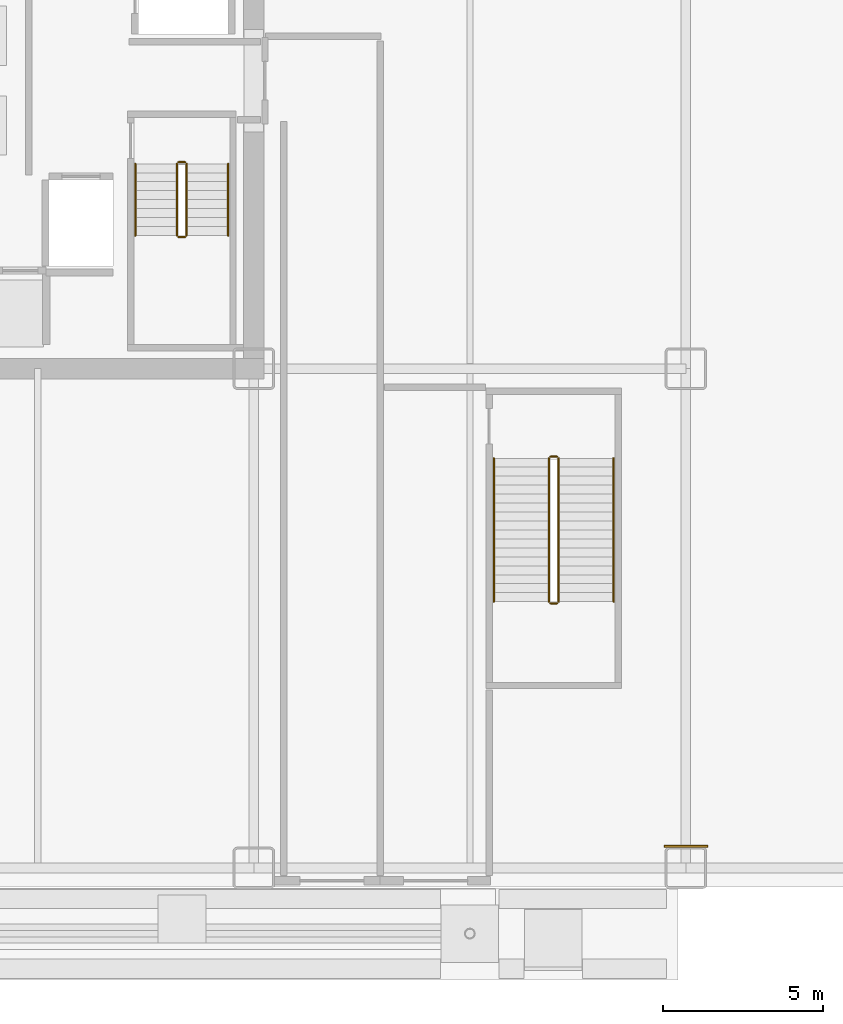
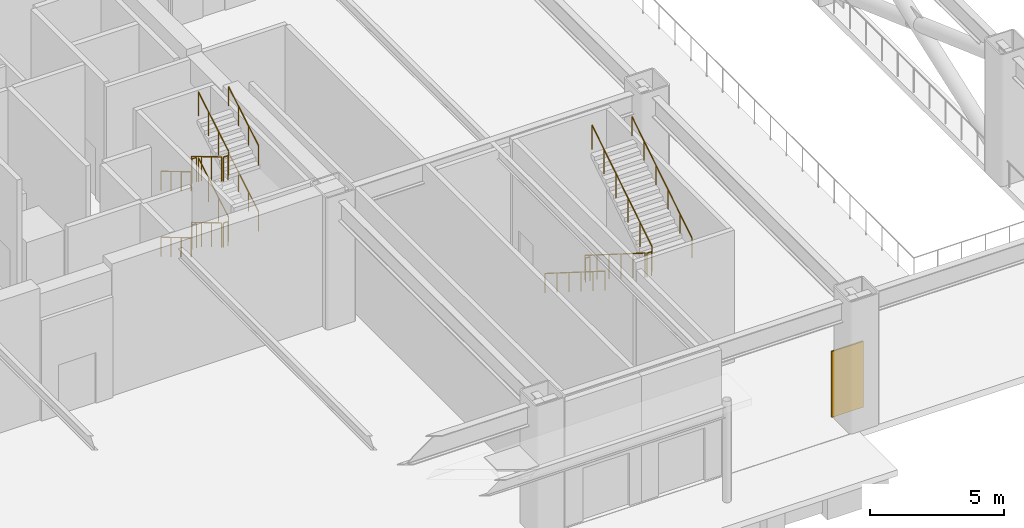
# One storey, part 14 of 17: 18 railings, 1 covering.
"""IFC4 building model written with IfcOpenShell, lengths in metres."""

from ifc_helpers import new_model, si_unit, direction, frame, origin, origin_2d, place, context, subcontext, project, spatial, rectangle, circle, extrude, source, transform, mapped, material, layer, layer_set, type_object, element, save


model = new_model("IFC4")

# Units and contexts
model_context = context("Model", 3, precision=1e-05, world=origin(), true_north=direction((0.0, 1.0)))
body_context = subcontext(model_context, "Body", "Model", "MODEL_VIEW")
ifc_project = project(units=[si_unit("LENGTHUNIT", "METRE"), si_unit("AREAUNIT", "SQUARE_METRE"), si_unit("VOLUMEUNIT", "CUBIC_METRE"), si_unit("PLANEANGLEUNIT", "RADIAN"), si_unit("MASSUNIT", "GRAM", prefix="KILO")], contexts=[model_context])

# Site, building, storey
site_placement = place(None, origin())
site = spatial("IfcSite", under=ifc_project, at=site_placement, CompositionType="ELEMENT")
building_placement = place(site_placement, origin())
building = spatial("IfcBuilding", under=site, at=building_placement, Name="Nefas-Gora Pilgrimage Tower", CompositionType="ELEMENT")
storey_placement = place(building_placement, origin())
storey = spatial("IfcBuildingStorey", under=building, at=storey_placement, Name="L00", CompositionType="ELEMENT", Elevation=0.0)

# Railings
ifc_material_1 = material(Name="Painted galvanised steel", Category="steel")
railing_type_1 = type_object("IfcRailingType", Name="RLG-STR-GUARD-1100", PredefinedType="GUARDRAIL", material=ifc_material_1)
railing_1_placement = place(storey_placement, frame((8.85009765625, -2.60009765625, 0.166748046875)))
element("IfcRailing", 1, at=railing_1_placement, inside=storey, type_object=railing_type_1, Name="L00 ST-02 stair guard 1", PredefinedType="GUARDRAIL", context=body_context, shape_type="SweptSolid", body=[
    extrude(circle(Radius=0.02392578125, at=origin_2d()), frame((0.0, 0.0, 1.09619140625), z_axis=(0.0, -0.859305625298, 0.511462454469), x_axis=(1.0, 0.0, 0.0)), (0.0, 0.0, 1.0), 2.606689453125),
    extrude(circle(Radius=0.02099609375, at=origin_2d()), origin(), (0.0, 0.0, 1.0), 1.072021484375),
    extrude(circle(Radius=0.02099609375, at=origin_2d()), frame((0.0, -0.74658203125, 0.4443359375)), (0.0, 0.0, 1.0), 1.072021484375),
    extrude(circle(Radius=0.02099609375, at=origin_2d()), frame((0.0, -1.493408203125, 0.888916015625)), (0.0, 0.0, 1.0), 1.072021484375),
    extrude(circle(Radius=0.02099609375, at=origin_2d()), frame((0.0, -2.239990234375, 1.333251953125)), (0.0, 0.0, 1.0), 1.072021484375),
])
railing_2_placement = place(storey_placement, frame((8.89990234375, -4.889892578125, 1.5)))
element("IfcRailing", 2, at=railing_2_placement, inside=storey, type_object=railing_type_1, Name="L00 ST-02 stair guard 2", PredefinedType="GUARDRAIL", context=body_context, shape_type="SweptSolid", body=[
    extrude(circle(Radius=0.02392578125, at=origin_2d()), frame((0.0, 0.0, 1.09619140625), z_axis=(1.0, 0.0, 0.0), x_axis=(0.0, 1.0, 0.0)), (0.0, 0.0, 1.0), 0.2001953125),
    extrude(circle(Radius=0.02099609375, at=origin_2d()), origin(), (0.0, 0.0, 1.0), 1.072021484375),
    extrude(circle(Radius=0.02099609375, at=origin_2d()), frame((0.2001953125, 0.0, 0.0)), (0.0, 0.0, 1.0), 1.072021484375),
])
railing_3_placement = place(storey_placement, frame((9.14990234375, -4.840087890625, 1.666748046875)))
element("IfcRailing", 3, at=railing_3_placement, inside=storey, type_object=railing_type_1, Name="L00 ST-02 stair guard 3", PredefinedType="GUARDRAIL", context=body_context, shape_type="SweptSolid", body=[
    extrude(circle(Radius=0.02392578125, at=origin_2d()), frame((0.0, 0.0, 1.09619140625), z_axis=(0.0, 0.859305625298, 0.511462454469), x_axis=(-1.0, 0.0, 0.0)), (0.0, 0.0, 1.0), 2.606689453125),
    extrude(circle(Radius=0.02099609375, at=origin_2d()), origin(), (0.0, 0.0, 1.0), 1.072021484375),
    extrude(circle(Radius=0.02099609375, at=origin_2d()), frame((0.0, 0.74658203125, 0.4443359375)), (0.0, 0.0, 1.0), 1.072021484375),
    extrude(circle(Radius=0.02099609375, at=origin_2d()), frame((0.0, 1.493408203125, 0.888916015625)), (0.0, 0.0, 1.0), 1.072021484375),
    extrude(circle(Radius=0.02099609375, at=origin_2d()), frame((0.0, 2.239990234375, 1.333251953125)), (0.0, 0.0, 1.0), 1.072021484375),
])
railing_4_placement = place(storey_placement, frame((8.89990234375, -2.550048828125, 3.0)))
element("IfcRailing", 4, at=railing_4_placement, inside=storey, type_object=railing_type_1, Name="L00 ST-02 stair guard 4", PredefinedType="GUARDRAIL", context=body_context, shape_type="SweptSolid", body=[
    extrude(circle(Radius=0.02392578125, at=origin_2d()), frame((0.0, 0.0, 1.09619140625), z_axis=(1.0, 0.0, 0.0), x_axis=(0.0, 1.0, 0.0)), (0.0, 0.0, 1.0), 0.2001953125),
    extrude(circle(Radius=0.02099609375, at=origin_2d()), origin(), (0.0, 0.0, 1.0), 1.072021484375),
    extrude(circle(Radius=0.02099609375, at=origin_2d()), frame((0.2001953125, 0.0, 0.0)), (0.0, 0.0, 1.0), 1.072021484375),
])
railing_5_placement = place(storey_placement, frame((8.85009765625, -2.60009765625, 3.166748046875)))
element("IfcRailing", 5, at=railing_5_placement, inside=storey, type_object=railing_type_1, Name="L00 ST-02 stair guard 5", PredefinedType="GUARDRAIL", context=body_context, shape_type="SweptSolid", body=[
    extrude(circle(Radius=0.02392578125, at=origin_2d()), frame((0.0, 0.0, 1.09619140625), z_axis=(0.0, -0.859305625298, 0.511462454469), x_axis=(1.0, 0.0, 0.0)), (0.0, 0.0, 1.0), 2.606689453125),
    extrude(circle(Radius=0.02099609375, at=origin_2d()), origin(), (0.0, 0.0, 1.0), 1.072021484375),
    extrude(circle(Radius=0.02099609375, at=origin_2d()), frame((0.0, -0.74658203125, 0.4443359375)), (0.0, 0.0, 1.0), 1.072021484375),
    extrude(circle(Radius=0.02099609375, at=origin_2d()), frame((0.0, -1.493408203125, 0.888916015625)), (0.0, 0.0, 1.0), 1.072021484375),
    extrude(circle(Radius=0.02099609375, at=origin_2d()), frame((0.0, -2.239990234375, 1.333251953125)), (0.0, 0.0, 1.0), 1.072021484375),
])
railing_6_placement = place(storey_placement, frame((8.89990234375, -4.889892578125, 4.5)))
element("IfcRailing", 6, at=railing_6_placement, inside=storey, type_object=railing_type_1, Name="L00 ST-02 stair guard 6", PredefinedType="GUARDRAIL", context=body_context, shape_type="SweptSolid", body=[
    extrude(circle(Radius=0.02392578125, at=origin_2d()), frame((0.0, 0.0, 1.09619140625), z_axis=(1.0, 0.0, 0.0), x_axis=(0.0, 1.0, 0.0)), (0.0, 0.0, 1.0), 0.2001953125),
    extrude(circle(Radius=0.02099609375, at=origin_2d()), origin(), (0.0, 0.0, 1.0), 1.072021484375),
    extrude(circle(Radius=0.02099609375, at=origin_2d()), frame((0.2001953125, 0.0, 0.0)), (0.0, 0.0, 1.0), 1.072021484375),
])
railing_7_placement = place(storey_placement, frame((9.14990234375, -4.840087890625, 4.666748046875)))
element("IfcRailing", 7, at=railing_7_placement, inside=storey, type_object=railing_type_1, Name="L00 ST-02 stair guard 7", PredefinedType="GUARDRAIL", context=body_context, shape_type="SweptSolid", body=[
    extrude(circle(Radius=0.02392578125, at=origin_2d()), frame((0.0, 0.0, 1.09619140625), z_axis=(0.0, 0.859305625298, 0.511462454469), x_axis=(-1.0, 0.0, 0.0)), (0.0, 0.0, 1.0), 2.606689453125),
    extrude(circle(Radius=0.02099609375, at=origin_2d()), origin(), (0.0, 0.0, 1.0), 1.072021484375),
    extrude(circle(Radius=0.02099609375, at=origin_2d()), frame((0.0, 0.74658203125, 0.4443359375)), (0.0, 0.0, 1.0), 1.072021484375),
    extrude(circle(Radius=0.02099609375, at=origin_2d()), frame((0.0, 1.493408203125, 0.888916015625)), (0.0, 0.0, 1.0), 1.072021484375),
    extrude(circle(Radius=0.02099609375, at=origin_2d()), frame((0.0, 2.239990234375, 1.333251953125)), (0.0, 0.0, 1.0), 1.072021484375),
])
railing_8_placement = place(storey_placement, frame((8.89990234375, -2.550048828125, 0.0)))
element("IfcRailing", 8, at=railing_8_placement, inside=storey, type_object=railing_type_1, Name="L00 ST-02 stair guard 8", PredefinedType="GUARDRAIL", context=body_context, shape_type="SweptSolid", body=[
    extrude(circle(Radius=0.02392578125, at=origin_2d()), frame((0.0, 0.0, 1.09619140625), z_axis=(1.0, 0.0, 0.0), x_axis=(0.0, 1.0, 0.0)), (0.0, 0.0, 1.0), 0.2001953125),
    extrude(circle(Radius=0.02099609375, at=origin_2d()), origin(), (0.0, 0.0, 1.0), 1.072021484375),
    extrude(circle(Radius=0.02099609375, at=origin_2d()), frame((0.2001953125, 0.0, 0.0)), (0.0, 0.0, 1.0), 1.072021484375),
])
railing_9_placement = place(storey_placement, frame((20.469970703125, -11.800048828125, 0.176513671875)))
element("IfcRailing", 9, at=railing_9_placement, inside=storey, type_object=railing_type_1, Name="L00 ST-06 stair guard 1", PredefinedType="GUARDRAIL", context=body_context, shape_type="SweptSolid", body=[
    extrude(circle(Radius=0.02392578125, at=origin_2d()), frame((0.0, 0.0, 1.09619140625), z_axis=(0.0, -0.845997938375, 0.533186166611), x_axis=(1.0, 0.0, 0.0)), (0.0, 0.0, 1.0), 5.29541015625),
    extrude(circle(Radius=0.02099609375, at=origin_2d()), origin(), (0.0, 0.0, 1.0), 1.072021484375),
    extrude(circle(Radius=0.02099609375, at=origin_2d()), frame((0.0, -0.89599609375, 0.564697265625)), (0.0, 0.0, 1.0), 1.072021484375),
    extrude(circle(Radius=0.02099609375, at=origin_2d()), frame((0.0, -1.7919921875, 1.12939453125)), (0.0, 0.0, 1.0), 1.072021484375),
    extrude(circle(Radius=0.02099609375, at=origin_2d()), frame((0.0, -2.68798828125, 1.694091796875)), (0.0, 0.0, 1.0), 1.072021484375),
    extrude(circle(Radius=0.02099609375, at=origin_2d()), frame((0.0, -3.583984375, 2.2587890625)), (0.0, 0.0, 1.0), 1.072021484375),
    extrude(circle(Radius=0.02099609375, at=origin_2d()), frame((0.0, -4.47998046875, 2.823486328125)), (0.0, 0.0, 1.0), 1.072021484375),
])
railing_10_placement = place(storey_placement, frame((20.52001953125, -16.330078125, 3.0)))
element("IfcRailing", 10, at=railing_10_placement, inside=storey, type_object=railing_type_1, Name="L00 ST-06 stair guard 2", PredefinedType="GUARDRAIL", context=body_context, shape_type="SweptSolid", body=[
    extrude(circle(Radius=0.02392578125, at=origin_2d()), frame((0.0, 0.0, 1.09619140625), z_axis=(1.0, 0.0, 0.0), x_axis=(0.0, 1.0, 0.0)), (0.0, 0.0, 1.0), 0.199951171875),
    extrude(circle(Radius=0.02099609375, at=origin_2d()), origin(), (0.0, 0.0, 1.0), 1.072021484375),
    extrude(circle(Radius=0.02099609375, at=origin_2d()), frame((0.199951171875, 0.0, 0.0)), (0.0, 0.0, 1.0), 1.072021484375),
])
railing_11_placement = place(storey_placement, frame((20.77001953125, -16.280029296875, 3.176513671875)))
element("IfcRailing", 11, at=railing_11_placement, inside=storey, type_object=railing_type_1, Name="L00 ST-06 stair guard 3", PredefinedType="GUARDRAIL", context=body_context, shape_type="SweptSolid", body=[
    extrude(circle(Radius=0.02392578125, at=origin_2d()), frame((0.0, 0.0, 1.09619140625), z_axis=(0.0, 0.845997938375, 0.533186166611), x_axis=(-1.0, 0.0, 0.0)), (0.0, 0.0, 1.0), 5.29541015625),
    extrude(circle(Radius=0.02099609375, at=origin_2d()), origin(), (0.0, 0.0, 1.0), 1.072021484375),
    extrude(circle(Radius=0.02099609375, at=origin_2d()), frame((0.0, 0.89599609375, 0.564697265625)), (0.0, 0.0, 1.0), 1.072021484375),
    extrude(circle(Radius=0.02099609375, at=origin_2d()), frame((0.0, 1.7919921875, 1.12939453125)), (0.0, 0.0, 1.0), 1.072021484375),
    extrude(circle(Radius=0.02099609375, at=origin_2d()), frame((0.0, 2.68798828125, 1.694091796875)), (0.0, 0.0, 1.0), 1.072021484375),
    extrude(circle(Radius=0.02099609375, at=origin_2d()), frame((0.0, 3.583984375, 2.2587890625)), (0.0, 0.0, 1.0), 1.072021484375),
    extrude(circle(Radius=0.02099609375, at=origin_2d()), frame((0.0, 4.47998046875, 2.823486328125)), (0.0, 0.0, 1.0), 1.072021484375),
])
railing_12_placement = place(storey_placement, frame((20.52001953125, -11.75, 0.0)))
element("IfcRailing", 12, at=railing_12_placement, inside=storey, type_object=railing_type_1, Name="L00 ST-06 stair guard 4", PredefinedType="GUARDRAIL", context=body_context, shape_type="SweptSolid", body=[
    extrude(circle(Radius=0.02392578125, at=origin_2d()), frame((0.0, 0.0, 1.09619140625), z_axis=(1.0, 0.0, 0.0), x_axis=(0.0, 1.0, 0.0)), (0.0, 0.0, 1.0), 0.199951171875),
    extrude(circle(Radius=0.02099609375, at=origin_2d()), origin(), (0.0, 0.0, 1.0), 1.072021484375),
    extrude(circle(Radius=0.02099609375, at=origin_2d()), frame((0.199951171875, 0.0, 0.0)), (0.0, 0.0, 1.0), 1.072021484375),
])
ifc_material_2 = material(Name="Brushed stainless steel", Category="steel")
railing_type_2 = type_object("IfcRailingType", Name="RLG-STR-HAND-900", PredefinedType="HANDRAIL", material=ifc_material_2)
railing_13_placement = place(storey_placement, frame((7.550048828125, -2.60009765625, 0.166748046875)))
element("IfcRailing", 13, at=railing_13_placement, inside=storey, type_object=railing_type_2, Name="L00 ST-02 stair handrail 1", PredefinedType="HANDRAIL", context=body_context, shape_type="SweptSolid", body=[
    extrude(circle(Radius=0.02392578125, at=origin_2d()), frame((0.0, 0.0, 0.8759765625), z_axis=(0.0, -0.859305625298, 0.511462454469), x_axis=(1.0, 0.0, 0.0)), (0.0, 0.0, 1.0), 2.606689453125),
    extrude(circle(Radius=0.02099609375, at=origin_2d()), origin(), (0.0, 0.0, 1.0), 0.851806640625),
    extrude(circle(Radius=0.02099609375, at=origin_2d()), frame((0.0, -0.74658203125, 0.4443359375)), (0.0, 0.0, 1.0), 0.851806640625),
    extrude(circle(Radius=0.02099609375, at=origin_2d()), frame((0.0, -1.493408203125, 0.888916015625)), (0.0, 0.0, 1.0), 0.851806640625),
    extrude(circle(Radius=0.02099609375, at=origin_2d()), frame((0.0, -2.239990234375, 1.333251953125)), (0.0, 0.0, 1.0), 0.851806640625),
])
railing_14_placement = place(storey_placement, frame((10.449951171875, -4.840087890625, 1.666748046875)))
element("IfcRailing", 14, at=railing_14_placement, inside=storey, type_object=railing_type_2, Name="L00 ST-02 stair handrail 2", PredefinedType="HANDRAIL", context=body_context, shape_type="SweptSolid", body=[
    extrude(circle(Radius=0.02392578125, at=origin_2d()), frame((0.0, 0.0, 0.8759765625), z_axis=(0.0, 0.859305625298, 0.511462454469), x_axis=(-1.0, 0.0, 0.0)), (0.0, 0.0, 1.0), 2.606689453125),
    extrude(circle(Radius=0.02099609375, at=origin_2d()), origin(), (0.0, 0.0, 1.0), 0.851806640625),
    extrude(circle(Radius=0.02099609375, at=origin_2d()), frame((0.0, 0.74658203125, 0.4443359375)), (0.0, 0.0, 1.0), 0.851806640625),
    extrude(circle(Radius=0.02099609375, at=origin_2d()), frame((0.0, 1.493408203125, 0.888916015625)), (0.0, 0.0, 1.0), 0.851806640625),
    extrude(circle(Radius=0.02099609375, at=origin_2d()), frame((0.0, 2.239990234375, 1.333251953125)), (0.0, 0.0, 1.0), 0.851806640625),
])
railing_15_placement = place(storey_placement, frame((7.550048828125, -2.60009765625, 3.166748046875)))
element("IfcRailing", 15, at=railing_15_placement, inside=storey, type_object=railing_type_2, Name="L00 ST-02 stair handrail 3", PredefinedType="HANDRAIL", context=body_context, shape_type="SweptSolid", body=[
    extrude(circle(Radius=0.02392578125, at=origin_2d()), frame((0.0, 0.0, 0.8759765625), z_axis=(0.0, -0.859305625298, 0.511462454469), x_axis=(1.0, 0.0, 0.0)), (0.0, 0.0, 1.0), 2.606689453125),
    extrude(circle(Radius=0.02099609375, at=origin_2d()), origin(), (0.0, 0.0, 1.0), 0.851806640625),
    extrude(circle(Radius=0.02099609375, at=origin_2d()), frame((0.0, -0.74658203125, 0.4443359375)), (0.0, 0.0, 1.0), 0.851806640625),
    extrude(circle(Radius=0.02099609375, at=origin_2d()), frame((0.0, -1.493408203125, 0.888916015625)), (0.0, 0.0, 1.0), 0.851806640625),
    extrude(circle(Radius=0.02099609375, at=origin_2d()), frame((0.0, -2.239990234375, 1.333251953125)), (0.0, 0.0, 1.0), 0.851806640625),
])
railing_16_placement = place(storey_placement, frame((10.449951171875, -4.840087890625, 4.666748046875)))
element("IfcRailing", 16, at=railing_16_placement, inside=storey, type_object=railing_type_2, Name="L00 ST-02 stair handrail 4", PredefinedType="HANDRAIL", context=body_context, shape_type="SweptSolid", body=[
    extrude(circle(Radius=0.02392578125, at=origin_2d()), frame((0.0, 0.0, 0.8759765625), z_axis=(0.0, 0.859305625298, 0.511462454469), x_axis=(-1.0, 0.0, 0.0)), (0.0, 0.0, 1.0), 2.606689453125),
    extrude(circle(Radius=0.02099609375, at=origin_2d()), origin(), (0.0, 0.0, 1.0), 0.851806640625),
    extrude(circle(Radius=0.02099609375, at=origin_2d()), frame((0.0, 0.74658203125, 0.4443359375)), (0.0, 0.0, 1.0), 0.851806640625),
    extrude(circle(Radius=0.02099609375, at=origin_2d()), frame((0.0, 1.493408203125, 0.888916015625)), (0.0, 0.0, 1.0), 0.851806640625),
    extrude(circle(Radius=0.02099609375, at=origin_2d()), frame((0.0, 2.239990234375, 1.333251953125)), (0.0, 0.0, 1.0), 0.851806640625),
])
railing_17_placement = place(storey_placement, frame((18.75, -11.800048828125, 0.176513671875)))
element("IfcRailing", 17, at=railing_17_placement, inside=storey, type_object=railing_type_2, Name="L00 ST-06 stair handrail 1", PredefinedType="HANDRAIL", context=body_context, shape_type="SweptSolid", body=[
    extrude(circle(Radius=0.02392578125, at=origin_2d()), frame((0.0, 0.0, 0.8759765625), z_axis=(0.0, -0.845997938375, 0.533186166611), x_axis=(1.0, 0.0, 0.0)), (0.0, 0.0, 1.0), 5.29541015625),
    extrude(circle(Radius=0.02099609375, at=origin_2d()), origin(), (0.0, 0.0, 1.0), 0.851806640625),
    extrude(circle(Radius=0.02099609375, at=origin_2d()), frame((0.0, -0.89599609375, 0.564697265625)), (0.0, 0.0, 1.0), 0.851806640625),
    extrude(circle(Radius=0.02099609375, at=origin_2d()), frame((0.0, -1.7919921875, 1.12939453125)), (0.0, 0.0, 1.0), 0.851806640625),
    extrude(circle(Radius=0.02099609375, at=origin_2d()), frame((0.0, -2.68798828125, 1.694091796875)), (0.0, 0.0, 1.0), 0.851806640625),
    extrude(circle(Radius=0.02099609375, at=origin_2d()), frame((0.0, -3.583984375, 2.2587890625)), (0.0, 0.0, 1.0), 0.851806640625),
    extrude(circle(Radius=0.02099609375, at=origin_2d()), frame((0.0, -4.47998046875, 2.823486328125)), (0.0, 0.0, 1.0), 0.851806640625),
])
railing_18_placement = place(storey_placement, frame((22.489990234375, -16.280029296875, 3.176513671875)))
element("IfcRailing", 18, at=railing_18_placement, inside=storey, type_object=railing_type_2, Name="L00 ST-06 stair handrail 2", PredefinedType="HANDRAIL", context=body_context, shape_type="SweptSolid", body=[
    extrude(circle(Radius=0.02392578125, at=origin_2d()), frame((0.0, 0.0, 0.8759765625), z_axis=(0.0, 0.845997938375, 0.533186166611), x_axis=(-1.0, 0.0, 0.0)), (0.0, 0.0, 1.0), 5.29541015625),
    extrude(circle(Radius=0.02099609375, at=origin_2d()), origin(), (0.0, 0.0, 1.0), 0.851806640625),
    extrude(circle(Radius=0.02099609375, at=origin_2d()), frame((0.0, 0.89599609375, 0.564697265625)), (0.0, 0.0, 1.0), 0.851806640625),
    extrude(circle(Radius=0.02099609375, at=origin_2d()), frame((0.0, 1.7919921875, 1.12939453125)), (0.0, 0.0, 1.0), 0.851806640625),
    extrude(circle(Radius=0.02099609375, at=origin_2d()), frame((0.0, 2.68798828125, 1.694091796875)), (0.0, 0.0, 1.0), 0.851806640625),
    extrude(circle(Radius=0.02099609375, at=origin_2d()), frame((0.0, 3.583984375, 2.2587890625)), (0.0, 0.0, 1.0), 0.851806640625),
    extrude(circle(Radius=0.02099609375, at=origin_2d()), frame((0.0, 4.47998046875, 2.823486328125)), (0.0, 0.0, 1.0), 0.851806640625),
])

# Covering
ifc_material_3 = material(Name="Honed Ethiopian basalt stone cladding", Category="masonry")
ifc_layer = layer(ifc_material_3, 0.06005859375)
ifc_layer_set = layer_set([ifc_layer], Name="Honed Ethiopian basalt stone cladding")
covering_type = type_object("IfcCoveringType", Name="COV-CLAD-GRAN", PredefinedType="CLADDING", material=ifc_layer_set)
shared_shape = source(origin(), body_context, "Body", "SweptSolid", [
    extrude(rectangle(XDim=1.360107421875, YDim=0.06005859375, at=origin_2d()), origin(), (0.0, 0.0, 1.0), 3.0),
])
covering_placement = place(storey_placement, frame((24.75, -23.919921875, 0.0), z_axis=(0.0, 0.0, 1.0), x_axis=(1.0, 0.0, 0.0)))
element("IfcCovering", 19, at=covering_placement, inside=storey, type_object=covering_type, Name="L00 Basalt Plinth Cladding Collar 4", PredefinedType="CLADDING", context=body_context, shape_type="MappedRepresentation", body=[
    mapped(shared_shape, transform((0.0, 0.0, 0.0), x_axis=(1.0, 0.0, 0.0), y_axis=(0.0, 1.0, 0.0), z_axis=(0.0, 0.0, 1.0), scale=1.0)),
])

save(model, "model.ifc")
